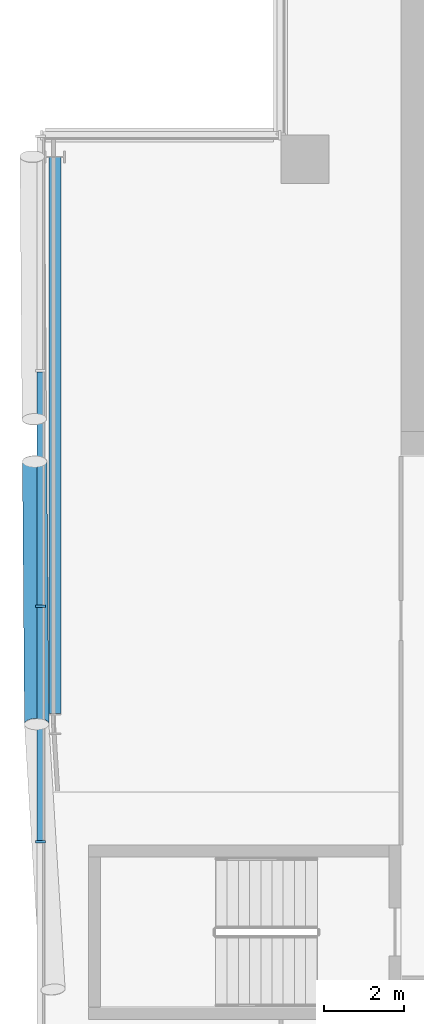
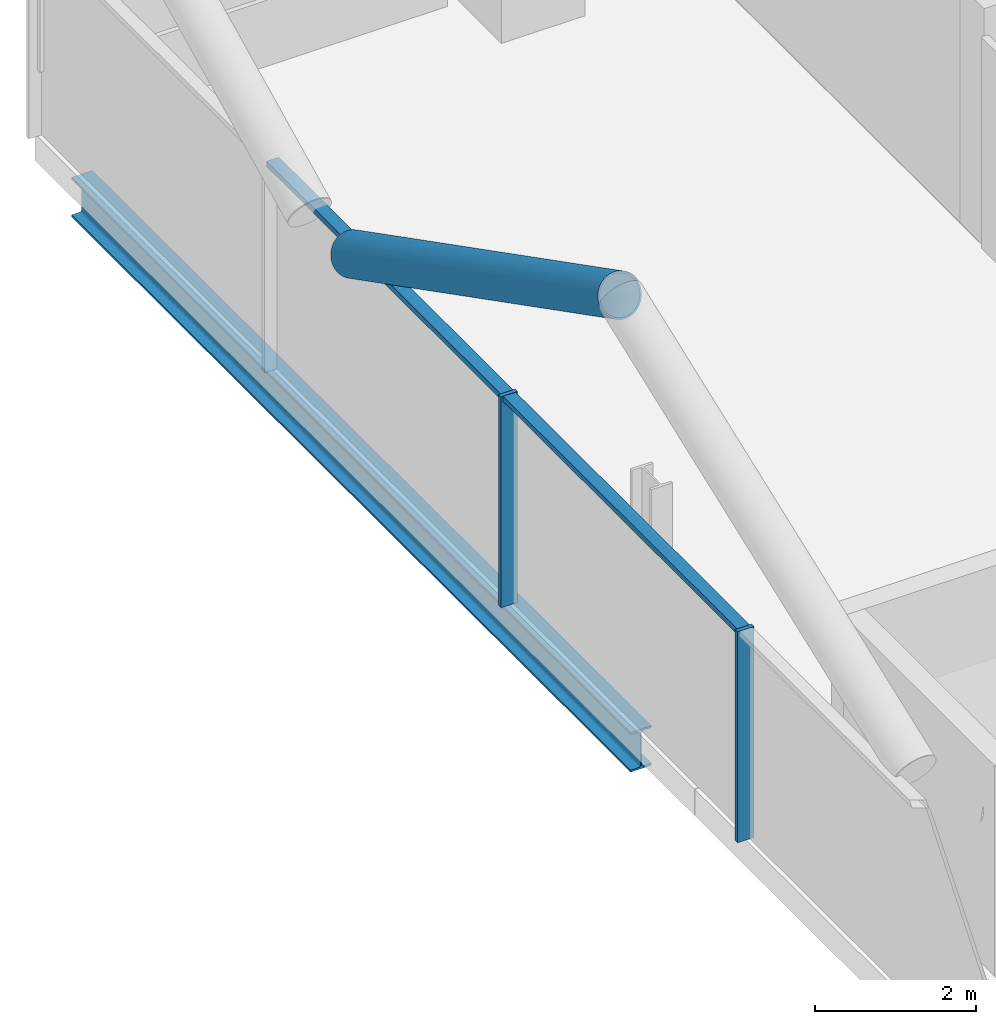
# One storey, part 7 of 27: 5 members, 1 beam, 1 element without a shape of its own.
"""IFC4 building model written with IfcOpenShell, lengths in metres."""

from ifc_helpers import new_model, si_unit, direction, frame, origin, origin_2d, place, context, subcontext, project, spatial, rectangle, hollow_circle, i_section, extrude, material, material_profile, profile_set, type_object, element, aggregate, save


model = new_model("IFC4")

# Units and contexts
model_context = context("Model", 3, precision=1e-05, world=origin(), true_north=direction((0.0, 1.0)))
body_context = subcontext(model_context, "Body", "Model", "MODEL_VIEW")
ifc_project = project(units=[si_unit("LENGTHUNIT", "METRE"), si_unit("AREAUNIT", "SQUARE_METRE"), si_unit("VOLUMEUNIT", "CUBIC_METRE"), si_unit("PLANEANGLEUNIT", "RADIAN"), si_unit("MASSUNIT", "GRAM", prefix="KILO")], contexts=[model_context])

# Site, building, storey
site_placement = place(None, origin())
site = spatial("IfcSite", under=ifc_project, at=site_placement, CompositionType="ELEMENT")
building_placement = place(site_placement, origin())
building = spatial("IfcBuilding", under=site, at=building_placement, Name="Wharfspan Tower", CompositionType="ELEMENT")
storey_placement = place(building_placement, frame((0.0, 0.0, 221.5)))
storey = spatial("IfcBuildingStorey", under=building, at=storey_placement, Name="L55", CompositionType="ELEMENT", Elevation=221.5)

# Beam
ifc_material_1 = material(Name="Steel S355J2", Category="steel")
ifc_material_profile_1 = material_profile(ifc_material_1, i_section(OverallWidth=0.300049, OverallDepth=0.600098, WebThickness=0.015381, FlangeThickness=0.030029, FilletRadius=0.0271, at=origin_2d()))
ifc_profile_set_1 = profile_set([ifc_material_profile_1], Name="Steel S355J2")
beam_type = type_object("IfcBeamType", Name="Edge beam HEB 600", PredefinedType="SPANDREL", material=ifc_profile_set_1)
beam_placement = place(storey_placement, frame((14.356934, 41.453125, -0.699951), z_axis=(0.000211, -1.0, 0.0), x_axis=(1.0, 0.000211, 0.0)))
element("IfcBeam", 1, at=beam_placement, inside=storey, type_object=beam_type, Name="Edge beam W L55 PNRW-H.1 to PW.1", PredefinedType="SPANDREL", context=body_context, shape_type="SweptSolid", body=[
    extrude(i_section(OverallWidth=0.300049, OverallDepth=0.600098, WebThickness=0.015381, FlangeThickness=0.030029, FilletRadius=0.0271, at=origin_2d()), origin(), (0.0, 0.0, 1.0), 13.89502),
])

# Curtain wall, members
ifc_material_2 = material(Name="Aluminium 6063-T6", Category="aluminium")
curtain_wall_type = type_object("IfcCurtainWallType", Name="CURTAIN WALL PROW AND END", PredefinedType="NOTDEFINED", material=ifc_material_2)
curtain_wall_placement = place(storey_placement, origin())
curtain_wall = element("IfcCurtainWall", 2, at=curtain_wall_placement, inside=storey, type_object=curtain_wall_type, Name="Curtain wall W", PredefinedType="NOTDEFINED")
ifc_material_profile_2 = material_profile(ifc_material_2, rectangle(XDim=0.23999, YDim=0.060059, at=origin_2d()))
ifc_profile_set_2 = profile_set([ifc_material_profile_2], Name="Aluminium 6063-T6")
member_type_1 = type_object("IfcMemberType", Name="MULLION PROW AND END 60x240", PredefinedType="MULLION", material=ifc_profile_set_2)
member_1_placement = place(storey_placement, frame((14.0, 30.23999, 0.0), z_axis=(0.0, 0.0, 1.0), x_axis=(1.0, 0.0, 0.0)))
member_1 = element("IfcMember", 3, at=member_1_placement, type_object=member_type_1, Name="Curtain wall W mullion 3", PredefinedType="MULLION", context=body_context, shape_type="SweptSolid", body=[
    extrude(rectangle(XDim=0.23999, YDim=0.060059, at=origin_2d()), origin(), (0.0, 0.0, 1.0), 3.199951),
])
member_2_placement = place(storey_placement, frame((14.0, 24.360107, 0.0), z_axis=(0.0, 0.0, 1.0), x_axis=(1.0, 0.0, 0.0)))
member_2 = element("IfcMember", 4, at=member_2_placement, type_object=member_type_1, Name="Curtain wall W mullion 4", PredefinedType="MULLION", context=body_context, shape_type="SweptSolid", body=[
    extrude(rectangle(XDim=0.23999, YDim=0.060059, at=origin_2d()), origin(), (0.0, 0.0, 1.0), 3.199951),
])

# Member
ifc_material_3 = material(Name="Steel S460NH", Category="steel")
ifc_material_profile_3 = material_profile(ifc_material_3, hollow_circle(Radius=0.304932, WallThickness=0.024902, at=origin_2d()))
ifc_profile_set_3 = profile_set([ifc_material_profile_3], Name="Steel S460NH")
member_type_2 = type_object("IfcMemberType", Name="Mega brace CHS 610x25", PredefinedType="BRACE", material=ifc_profile_set_3)
member_3_placement = place(storey_placement, frame((13.853271, 33.849121, 3.169922), z_axis=(0.007044, -0.891361, 0.45324), x_axis=(0.999973, 0.007904, 3e-06)))
element("IfcMember", 5, at=member_3_placement, inside=storey, type_object=member_type_2, Name="Mega brace W3 L55 part 2", PredefinedType="BRACE", context=body_context, shape_type="SweptSolid", body=[
    extrude(hollow_circle(Radius=0.304932, WallThickness=0.024902, at=origin_2d()), origin(), (0.0, 0.0, 1.0), 7.347168),
])

ifc_material_profile_4 = material_profile(ifc_material_2, rectangle(XDim=0.179932, YDim=0.080078, at=origin_2d()))
ifc_profile_set_4 = profile_set([ifc_material_profile_4], Name="Aluminium 6063-T6")
member_type_3 = type_object("IfcMemberType", Name="TRANSOM PROW AND END 80x180", PredefinedType="USERDEFINED", material=ifc_profile_set_4)
member_4_placement = place(storey_placement, frame((14.0, 36.090088, 3.159912), z_axis=(0.0, -1.0, 0.0), x_axis=(1.0, 0.0, 0.0)))
member_4 = element("IfcMember", 6, at=member_4_placement, type_object=member_type_3, Name="Curtain wall W transom 2", ObjectType="TRANSOM", PredefinedType="USERDEFINED", context=body_context, shape_type="SweptSolid", body=[
    extrude(rectangle(XDim=0.179932, YDim=0.080078, at=origin_2d()), origin(), (0.0, 0.0, 1.0), 5.820068),
])

member_5_placement = place(storey_placement, frame((14.0, 30.209961, 3.159912), z_axis=(0.0, -1.0, 0.0), x_axis=(1.0, 0.0, 0.0)))
member_5 = element("IfcMember", 7, at=member_5_placement, type_object=member_type_3, Name="Curtain wall W transom 3", ObjectType="TRANSOM", PredefinedType="USERDEFINED", context=body_context, shape_type="SweptSolid", body=[
    extrude(rectangle(XDim=0.179932, YDim=0.080078, at=origin_2d()), origin(), (0.0, 0.0, 1.0), 5.820068),
])

aggregate(curtain_wall, [member_1, member_2, member_4, member_5])

save(model, "model.ifc")
